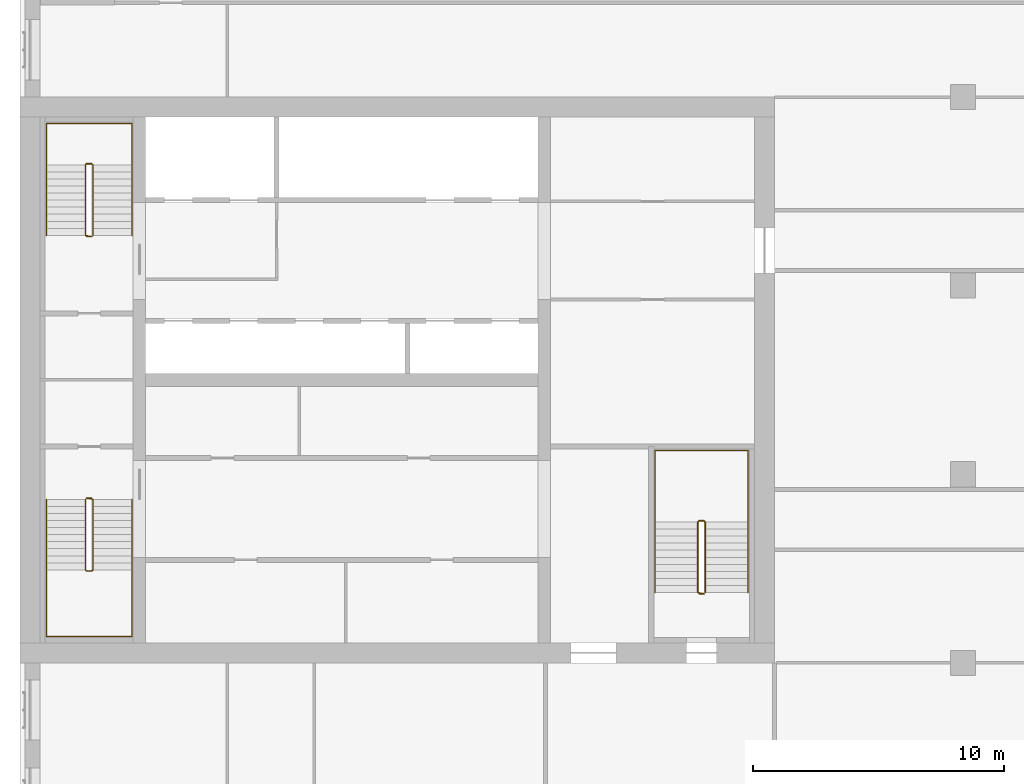
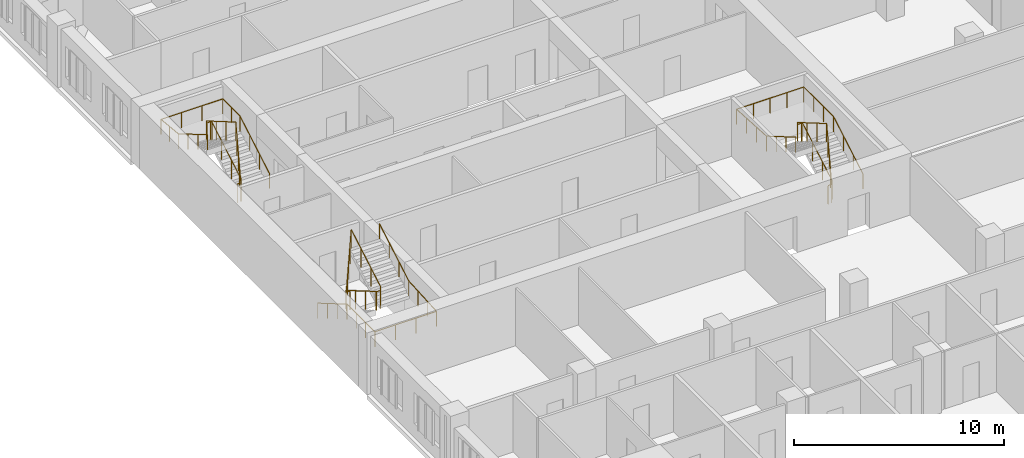
# One storey, part 14 of 14: 6 railings.
"""IFC4 building model written with IfcOpenShell, lengths in metres."""

from ifc_helpers import new_model, si_unit, direction, frame, origin, origin_2d, place, context, subcontext, project, spatial, circle, extrude, material, type_object, element, save


model = new_model("IFC4")

# Units and contexts
model_context = context("Model", 3, precision=1e-05, world=origin(), true_north=direction((0.0, 1.0)))
body_context = subcontext(model_context, "Body", "Model", "MODEL_VIEW")
ifc_project = project(units=[si_unit("LENGTHUNIT", "METRE"), si_unit("AREAUNIT", "SQUARE_METRE"), si_unit("VOLUMEUNIT", "CUBIC_METRE"), si_unit("PLANEANGLEUNIT", "RADIAN"), si_unit("MASSUNIT", "GRAM", prefix="KILO")], contexts=[model_context])

# Site, building, storey
site_placement = place(None, origin())
site = spatial("IfcSite", under=ifc_project, at=site_placement, CompositionType="ELEMENT")
building_placement = place(site_placement, origin())
building = spatial("IfcBuilding", under=site, at=building_placement, Name="Tamorin Gate", CompositionType="ELEMENT")
storey_placement = place(building_placement, frame((0.0, 0.0, 133.800048828125)))
storey = spatial("IfcBuildingStorey", under=building, at=storey_placement, Name="L32", CompositionType="ELEMENT", Elevation=133.800048828125)

# Railings
ifc_material_1 = material(Name="Painted steel balustrade", Category="steel")
railing_type_1 = type_object("IfcRailingType", Name="Stair guard 1100", PredefinedType="GUARDRAIL", material=ifc_material_1)
railing_1_placement = place(storey_placement, frame((32.60009765625, 66.5, 0.16357421875)))
element("IfcRailing", 1, at=railing_1_placement, inside=storey, type_object=railing_type_1, Name="L32 ST1 stair guard 1", PredefinedType="GUARDRAIL", context=body_context, shape_type="SweptSolid", body=[
    extrude(circle(Radius=0.02392578125, at=origin_2d()), frame((0.0, 0.0, 1.076171875), z_axis=(0.0, -0.863360870873, 0.504586966384), x_axis=(1.0, 0.0, 0.0)), (0.0, 0.0, 1.0), 3.2431640625),
    extrude(circle(Radius=0.02392578125, at=origin_2d()), frame((0.0, -2.800048828125, 2.71240234375), z_axis=(0.705375805398, -0.708833529934, 0.0), x_axis=(0.708833529934, 0.705375805398, 0.0)), (0.0, 0.0, 1.0), 0.070556640625),
    extrude(circle(Radius=0.02392578125, at=origin_2d()), frame((0.0498046875, -2.85009765625, 2.71240234375), z_axis=(1.0, 0.0, 0.0), x_axis=(0.0, 1.0, 0.0)), (0.0, 0.0, 1.0), 0.2001953125),
    extrude(circle(Radius=0.02392578125, at=origin_2d()), frame((0.25, -2.85009765625, 2.71240234375), z_axis=(0.279546231943, 0.280916556609, 0.91811752648), x_axis=(-0.708833529934, 0.705375805398, 0.0)), (0.0, 0.0, 1.0), 0.17822265625),
    extrude(circle(Radius=0.02392578125, at=origin_2d()), frame((0.2998046875, -2.800048828125, 2.8759765625), z_axis=(0.0, 0.863393664356, 0.504530851732), x_axis=(-1.0, 0.0, 0.0)), (0.0, 0.0, 1.0), 3.2431640625),
    extrude(circle(Radius=0.02392578125, at=origin_2d()), frame((0.2998046875, 0.0, 4.51220703125), z_axis=(-0.069273741535, 0.013868278335, -0.997501288014), x_axis=(-0.196300278283, -0.98054382908, 0.0)), (0.0, 0.0, 1.0), 3.60888671875),
    extrude(circle(Radius=0.02392578125, at=origin_2d()), frame((0.0498046875, 0.050048828125, 0.91259765625), z_axis=(1.0, 0.0, 0.0), x_axis=(0.0, 1.0, 0.0)), (0.0, 0.0, 1.0), 0.2001953125),
    extrude(circle(Radius=0.02099609375, at=origin_2d()), origin(), (0.0, 0.0, 1.0), 1.052001953125),
    extrude(circle(Radius=0.02099609375, at=origin_2d()), frame((0.0, -0.933349609375, 0.54541015625)), (0.0, 0.0, 1.0), 1.052001953125),
    extrude(circle(Radius=0.02099609375, at=origin_2d()), frame((0.0, -1.86669921875, 1.091064453125)), (0.0, 0.0, 1.0), 1.052001953125),
    extrude(circle(Radius=0.02099609375, at=origin_2d()), frame((0.0, -2.800048828125, 1.636474609375)), (0.0, 0.0, 1.0), 1.052001953125),
    extrude(circle(Radius=0.02099609375, at=origin_2d()), frame((0.0498046875, -2.85009765625, 1.636474609375)), (0.0, 0.0, 1.0), 1.052001953125),
    extrude(circle(Radius=0.02099609375, at=origin_2d()), frame((0.25, -2.85009765625, 1.636474609375)), (0.0, 0.0, 1.0), 1.052001953125),
    extrude(circle(Radius=0.02099609375, at=origin_2d()), frame((0.2998046875, -2.800048828125, 1.800048828125)), (0.0, 0.0, 1.0), 1.052001953125),
    extrude(circle(Radius=0.02099609375, at=origin_2d()), frame((0.2998046875, -1.86669921875, 2.345458984375)), (0.0, 0.0, 1.0), 1.052001953125),
    extrude(circle(Radius=0.02099609375, at=origin_2d()), frame((0.2998046875, -0.933349609375, 2.890869140625)), (0.0, 0.0, 1.0), 1.052001953125),
    extrude(circle(Radius=0.02099609375, at=origin_2d()), frame((0.2998046875, 0.0, 3.436279296875)), (0.0, 0.0, 1.0), 1.052001953125),
    extrude(circle(Radius=0.02099609375, at=origin_2d()), frame((0.2373046875, 0.012451171875, 2.536376953125)), (0.0, 0.0, 1.0), 1.052001953125),
    extrude(circle(Radius=0.02099609375, at=origin_2d()), frame((0.1748046875, 0.02490234375, 1.63623046875)), (0.0, 0.0, 1.0), 1.052001953125),
    extrude(circle(Radius=0.02099609375, at=origin_2d()), frame((0.1123046875, 0.03759765625, 0.736328125)), (0.0, 0.0, 1.0), 1.052001953125),
    extrude(circle(Radius=0.02099609375, at=origin_2d()), frame((0.0498046875, 0.050048828125, -0.16357421875)), (0.0, 0.0, 1.0), 1.052001953125),
    extrude(circle(Radius=0.02099609375, at=origin_2d()), frame((0.25, 0.050048828125, -0.16357421875)), (0.0, 0.0, 1.0), 1.052001953125),
])
railing_2_placement = place(storey_placement, frame((32.89990234375, 77.0, 0.16357421875)))
element("IfcRailing", 2, at=railing_2_placement, inside=storey, type_object=railing_type_1, Name="L32 ST2 stair guard 1", PredefinedType="GUARDRAIL", context=body_context, shape_type="SweptSolid", body=[
    extrude(circle(Radius=0.02392578125, at=origin_2d()), frame((0.0, 0.0, 1.076171875), z_axis=(0.0, 0.863360870873, 0.504586966384), x_axis=(-1.0, 0.0, 0.0)), (0.0, 0.0, 1.0), 3.2431640625),
    extrude(circle(Radius=0.02392578125, at=origin_2d()), frame((0.0, 2.800048828125, 2.71240234375), z_axis=(-0.705375805398, 0.708833529934, 0.0), x_axis=(-0.708833529934, -0.705375805398, 0.0)), (0.0, 0.0, 1.0), 0.070556640625),
    extrude(circle(Radius=0.02392578125, at=origin_2d()), frame((-0.0498046875, 2.85009765625, 2.71240234375), z_axis=(-1.0, 0.0, 0.0), x_axis=(0.0, -1.0, 0.0)), (0.0, 0.0, 1.0), 0.2001953125),
    extrude(circle(Radius=0.02392578125, at=origin_2d()), frame((-0.25, 2.85009765625, 2.71240234375), z_axis=(-0.279546231943, -0.280916556609, 0.91811752648), x_axis=(0.708833529934, -0.705375805398, 0.0)), (0.0, 0.0, 1.0), 0.17822265625),
    extrude(circle(Radius=0.02392578125, at=origin_2d()), frame((-0.2998046875, 2.800048828125, 2.8759765625), z_axis=(0.0, -0.863393664356, 0.504530851732), x_axis=(1.0, 0.0, 0.0)), (0.0, 0.0, 1.0), 3.2431640625),
    extrude(circle(Radius=0.02392578125, at=origin_2d()), frame((-0.2998046875, 0.0, 4.51220703125), z_axis=(0.069273741535, -0.013868278335, -0.997501288014), x_axis=(0.196300278283, 0.98054382908, 0.0)), (0.0, 0.0, 1.0), 3.60888671875),
    extrude(circle(Radius=0.02392578125, at=origin_2d()), frame((-0.0498046875, -0.050048828125, 0.91259765625), z_axis=(-1.0, 0.0, 0.0), x_axis=(0.0, -1.0, 0.0)), (0.0, 0.0, 1.0), 0.2001953125),
    extrude(circle(Radius=0.02099609375, at=origin_2d()), origin(), (0.0, 0.0, 1.0), 1.052001953125),
    extrude(circle(Radius=0.02099609375, at=origin_2d()), frame((0.0, 0.933349609375, 0.54541015625)), (0.0, 0.0, 1.0), 1.052001953125),
    extrude(circle(Radius=0.02099609375, at=origin_2d()), frame((0.0, 1.86669921875, 1.091064453125)), (0.0, 0.0, 1.0), 1.052001953125),
    extrude(circle(Radius=0.02099609375, at=origin_2d()), frame((0.0, 2.800048828125, 1.636474609375)), (0.0, 0.0, 1.0), 1.052001953125),
    extrude(circle(Radius=0.02099609375, at=origin_2d()), frame((-0.0498046875, 2.85009765625, 1.636474609375)), (0.0, 0.0, 1.0), 1.052001953125),
    extrude(circle(Radius=0.02099609375, at=origin_2d()), frame((-0.25, 2.85009765625, 1.636474609375)), (0.0, 0.0, 1.0), 1.052001953125),
    extrude(circle(Radius=0.02099609375, at=origin_2d()), frame((-0.2998046875, 2.800048828125, 1.800048828125)), (0.0, 0.0, 1.0), 1.052001953125),
    extrude(circle(Radius=0.02099609375, at=origin_2d()), frame((-0.2998046875, 1.86669921875, 2.345458984375)), (0.0, 0.0, 1.0), 1.052001953125),
    extrude(circle(Radius=0.02099609375, at=origin_2d()), frame((-0.2998046875, 0.933349609375, 2.890869140625)), (0.0, 0.0, 1.0), 1.052001953125),
    extrude(circle(Radius=0.02099609375, at=origin_2d()), frame((-0.2998046875, 0.0, 3.436279296875)), (0.0, 0.0, 1.0), 1.052001953125),
    extrude(circle(Radius=0.02099609375, at=origin_2d()), frame((-0.2373046875, -0.012451171875, 2.536376953125)), (0.0, 0.0, 1.0), 1.052001953125),
    extrude(circle(Radius=0.02099609375, at=origin_2d()), frame((-0.1748046875, -0.02490234375, 1.63623046875)), (0.0, 0.0, 1.0), 1.052001953125),
    extrude(circle(Radius=0.02099609375, at=origin_2d()), frame((-0.1123046875, -0.03759765625, 0.736328125)), (0.0, 0.0, 1.0), 1.052001953125),
    extrude(circle(Radius=0.02099609375, at=origin_2d()), frame((-0.0498046875, -0.050048828125, -0.16357421875)), (0.0, 0.0, 1.0), 1.052001953125),
    extrude(circle(Radius=0.02099609375, at=origin_2d()), frame((-0.25, -0.050048828125, -0.16357421875)), (0.0, 0.0, 1.0), 1.052001953125),
])
railing_3_placement = place(storey_placement, frame((57.25, 62.800048828125, 0.16357421875)))
element("IfcRailing", 3, at=railing_3_placement, inside=storey, type_object=railing_type_1, Name="L32 ST3 stair guard 1", PredefinedType="GUARDRAIL", context=body_context, shape_type="SweptSolid", body=[
    extrude(circle(Radius=0.02392578125, at=origin_2d()), frame((0.0, 0.0, 1.076171875), z_axis=(0.0, 0.863360870873, 0.504586966384), x_axis=(-1.0, 0.0, 0.0)), (0.0, 0.0, 1.0), 3.2431640625),
    extrude(circle(Radius=0.02392578125, at=origin_2d()), frame((0.0, 2.800048828125, 2.71240234375), z_axis=(-0.708833529934, 0.705375805398, 0.0), x_axis=(-0.705375805398, -0.708833529934, 0.0)), (0.0, 0.0, 1.0), 0.070556640625),
    extrude(circle(Radius=0.02392578125, at=origin_2d()), frame((-0.050048828125, 2.849853515625, 2.71240234375), z_axis=(-1.0, 0.0, 0.0), x_axis=(0.0, -1.0, 0.0)), (0.0, 0.0, 1.0), 0.199951171875),
    extrude(circle(Radius=0.02392578125, at=origin_2d()), frame((-0.25, 2.849853515625, 2.71240234375), z_axis=(-0.280916556609, -0.279546231943, 0.91811752648), x_axis=(0.705375805398, -0.708833529934, 0.0)), (0.0, 0.0, 1.0), 0.17822265625),
    extrude(circle(Radius=0.02392578125, at=origin_2d()), frame((-0.300048828125, 2.800048828125, 2.8759765625), z_axis=(0.0, -0.863393664356, 0.504530851732), x_axis=(1.0, 0.0, 0.0)), (0.0, 0.0, 1.0), 3.2431640625),
    extrude(circle(Radius=0.02392578125, at=origin_2d()), frame((-0.300048828125, 0.0, 4.51220703125), z_axis=(0.069273741535, -0.013868278335, -0.997501288014), x_axis=(0.196300278283, 0.98054382908, 0.0)), (0.0, 0.0, 1.0), 3.60888671875),
    extrude(circle(Radius=0.02392578125, at=origin_2d()), frame((-0.050048828125, -0.050048828125, 0.91259765625), z_axis=(-1.0, 0.0, 0.0), x_axis=(0.0, -1.0, 0.0)), (0.0, 0.0, 1.0), 0.199951171875),
    extrude(circle(Radius=0.02099609375, at=origin_2d()), origin(), (0.0, 0.0, 1.0), 1.052001953125),
    extrude(circle(Radius=0.02099609375, at=origin_2d()), frame((0.0, 0.933349609375, 0.54541015625)), (0.0, 0.0, 1.0), 1.052001953125),
    extrude(circle(Radius=0.02099609375, at=origin_2d()), frame((0.0, 1.86669921875, 1.091064453125)), (0.0, 0.0, 1.0), 1.052001953125),
    extrude(circle(Radius=0.02099609375, at=origin_2d()), frame((0.0, 2.800048828125, 1.636474609375)), (0.0, 0.0, 1.0), 1.052001953125),
    extrude(circle(Radius=0.02099609375, at=origin_2d()), frame((-0.050048828125, 2.849853515625, 1.636474609375)), (0.0, 0.0, 1.0), 1.052001953125),
    extrude(circle(Radius=0.02099609375, at=origin_2d()), frame((-0.25, 2.849853515625, 1.636474609375)), (0.0, 0.0, 1.0), 1.052001953125),
    extrude(circle(Radius=0.02099609375, at=origin_2d()), frame((-0.300048828125, 2.800048828125, 1.800048828125)), (0.0, 0.0, 1.0), 1.052001953125),
    extrude(circle(Radius=0.02099609375, at=origin_2d()), frame((-0.300048828125, 1.86669921875, 2.345458984375)), (0.0, 0.0, 1.0), 1.052001953125),
    extrude(circle(Radius=0.02099609375, at=origin_2d()), frame((-0.300048828125, 0.933349609375, 2.890869140625)), (0.0, 0.0, 1.0), 1.052001953125),
    extrude(circle(Radius=0.02099609375, at=origin_2d()), frame((-0.300048828125, 0.0, 3.436279296875)), (0.0, 0.0, 1.0), 1.052001953125),
    extrude(circle(Radius=0.02099609375, at=origin_2d()), frame((-0.237548828125, -0.012451171875, 2.536376953125)), (0.0, 0.0, 1.0), 1.052001953125),
    extrude(circle(Radius=0.02099609375, at=origin_2d()), frame((-0.175048828125, -0.02490234375, 1.63623046875)), (0.0, 0.0, 1.0), 1.052001953125),
    extrude(circle(Radius=0.02099609375, at=origin_2d()), frame((-0.112548828125, -0.03759765625, 0.736328125)), (0.0, 0.0, 1.0), 1.052001953125),
    extrude(circle(Radius=0.02099609375, at=origin_2d()), frame((-0.050048828125, -0.050048828125, -0.16357421875)), (0.0, 0.0, 1.0), 1.052001953125),
    extrude(circle(Radius=0.02099609375, at=origin_2d()), frame((-0.25, -0.050048828125, -0.16357421875)), (0.0, 0.0, 1.0), 1.052001953125),
])
ifc_material_2 = material(Name="Painted steel handrail", Category="steel")
railing_type_2 = type_object("IfcRailingType", Name="Stair handrail 900", PredefinedType="HANDRAIL", material=ifc_material_2)
railing_4_placement = place(storey_placement, frame((31.050048828125, 66.5, 0.16357421875)))
element("IfcRailing", 4, at=railing_4_placement, inside=storey, type_object=railing_type_2, Name="L32 ST1 stair handrail 1", PredefinedType="HANDRAIL", context=body_context, shape_type="SweptSolid", body=[
    extrude(circle(Radius=0.02392578125, at=origin_2d()), frame((0.0, 0.0, 0.8759765625), z_axis=(0.0, -0.863360870873, 0.504586966384), x_axis=(1.0, 0.0, 0.0)), (0.0, 0.0, 1.0), 3.2431640625),
    extrude(circle(Radius=0.02392578125, at=origin_2d()), frame((0.0, -2.800048828125, 2.51220703125), z_axis=(0.0, -1.0, 0.0), x_axis=(1.0, 0.0, 0.0)), (0.0, 0.0, 1.0), 2.64990234375),
    extrude(circle(Radius=0.02392578125, at=origin_2d()), frame((0.0, -5.449951171875, 2.51220703125), z_axis=(1.0, 0.0, 0.0), x_axis=(0.0, 1.0, 0.0)), (0.0, 0.0, 1.0), 3.39990234375),
    extrude(circle(Radius=0.02392578125, at=origin_2d()), frame((3.39990234375, -5.449951171875, 2.51220703125), z_axis=(0.0, 0.998100230056, 0.061611125312), x_axis=(-1.0, 0.0, 0.0)), (0.0, 0.0, 1.0), 2.655029296875),
    extrude(circle(Radius=0.02392578125, at=origin_2d()), frame((3.39990234375, -2.800048828125, 2.67578125), z_axis=(0.0, 0.863393664356, 0.504530851732), x_axis=(-1.0, 0.0, 0.0)), (0.0, 0.0, 1.0), 3.2431640625),
    extrude(circle(Radius=0.02099609375, at=origin_2d()), origin(), (0.0, 0.0, 1.0), 0.851806640625),
    extrude(circle(Radius=0.02099609375, at=origin_2d()), frame((0.0, -0.933349609375, 0.54541015625)), (0.0, 0.0, 1.0), 0.851806640625),
    extrude(circle(Radius=0.02099609375, at=origin_2d()), frame((0.0, -1.86669921875, 1.091064453125)), (0.0, 0.0, 1.0), 0.851806640625),
    extrude(circle(Radius=0.02099609375, at=origin_2d()), frame((0.0, -2.800048828125, 1.636474609375)), (0.0, 0.0, 1.0), 0.851806640625),
    extrude(circle(Radius=0.02099609375, at=origin_2d()), frame((0.0, -3.683349609375, 1.636474609375)), (0.0, 0.0, 1.0), 0.851806640625),
    extrude(circle(Radius=0.02099609375, at=origin_2d()), frame((0.0, -4.566650390625, 1.636474609375)), (0.0, 0.0, 1.0), 0.851806640625),
    extrude(circle(Radius=0.02099609375, at=origin_2d()), frame((0.0, -5.449951171875, 1.636474609375)), (0.0, 0.0, 1.0), 0.851806640625),
    extrude(circle(Radius=0.02099609375, at=origin_2d()), frame((1.13330078125, -5.449951171875, 1.636474609375)), (0.0, 0.0, 1.0), 0.851806640625),
    extrude(circle(Radius=0.02099609375, at=origin_2d()), frame((2.2666015625, -5.449951171875, 1.636474609375)), (0.0, 0.0, 1.0), 0.851806640625),
    extrude(circle(Radius=0.02099609375, at=origin_2d()), frame((3.39990234375, -5.449951171875, 1.636474609375)), (0.0, 0.0, 1.0), 0.851806640625),
    extrude(circle(Radius=0.02099609375, at=origin_2d()), frame((3.39990234375, -4.566650390625, 1.69091796875)), (0.0, 0.0, 1.0), 0.851806640625),
    extrude(circle(Radius=0.02099609375, at=origin_2d()), frame((3.39990234375, -3.683349609375, 1.74560546875)), (0.0, 0.0, 1.0), 0.851806640625),
    extrude(circle(Radius=0.02099609375, at=origin_2d()), frame((3.39990234375, -2.800048828125, 1.800048828125)), (0.0, 0.0, 1.0), 0.851806640625),
    extrude(circle(Radius=0.02099609375, at=origin_2d()), frame((3.39990234375, -1.86669921875, 2.345458984375)), (0.0, 0.0, 1.0), 0.851806640625),
    extrude(circle(Radius=0.02099609375, at=origin_2d()), frame((3.39990234375, -0.933349609375, 2.890869140625)), (0.0, 0.0, 1.0), 0.851806640625),
    extrude(circle(Radius=0.02099609375, at=origin_2d()), frame((3.39990234375, 0.0, 3.436279296875)), (0.0, 0.0, 1.0), 0.851806640625),
])
railing_5_placement = place(storey_placement, frame((34.449951171875, 77.0, 0.16357421875)))
element("IfcRailing", 5, at=railing_5_placement, inside=storey, type_object=railing_type_2, Name="L32 ST2 stair handrail 1", PredefinedType="HANDRAIL", context=body_context, shape_type="SweptSolid", body=[
    extrude(circle(Radius=0.02392578125, at=origin_2d()), frame((0.0, 0.0, 0.8759765625), z_axis=(0.0, 0.863360870873, 0.504586966384), x_axis=(-1.0, 0.0, 0.0)), (0.0, 0.0, 1.0), 3.2431640625),
    extrude(circle(Radius=0.02392578125, at=origin_2d()), frame((0.0, 2.800048828125, 2.51220703125), z_axis=(0.0, 1.0, 0.0), x_axis=(-1.0, 0.0, 0.0)), (0.0, 0.0, 1.0), 1.64990234375),
    extrude(circle(Radius=0.02392578125, at=origin_2d()), frame((0.0, 4.449951171875, 2.51220703125), z_axis=(-1.0, 0.0, 0.0), x_axis=(0.0, -1.0, 0.0)), (0.0, 0.0, 1.0), 3.39990234375),
    extrude(circle(Radius=0.02392578125, at=origin_2d()), frame((-3.39990234375, 4.449951171875, 2.51220703125), z_axis=(0.0, -0.995121390814, 0.098658084026), x_axis=(1.0, 0.0, 0.0)), (0.0, 0.0, 1.0), 1.657958984375),
    extrude(circle(Radius=0.02392578125, at=origin_2d()), frame((-3.39990234375, 2.800048828125, 2.67578125), z_axis=(0.0, -0.863393664356, 0.504530851732), x_axis=(1.0, 0.0, 0.0)), (0.0, 0.0, 1.0), 3.2431640625),
    extrude(circle(Radius=0.02099609375, at=origin_2d()), origin(), (0.0, 0.0, 1.0), 0.851806640625),
    extrude(circle(Radius=0.02099609375, at=origin_2d()), frame((0.0, 0.933349609375, 0.54541015625)), (0.0, 0.0, 1.0), 0.851806640625),
    extrude(circle(Radius=0.02099609375, at=origin_2d()), frame((0.0, 1.86669921875, 1.091064453125)), (0.0, 0.0, 1.0), 0.851806640625),
    extrude(circle(Radius=0.02099609375, at=origin_2d()), frame((0.0, 2.800048828125, 1.636474609375)), (0.0, 0.0, 1.0), 0.851806640625),
    extrude(circle(Radius=0.02099609375, at=origin_2d()), frame((0.0, 3.625, 1.636474609375)), (0.0, 0.0, 1.0), 0.851806640625),
    extrude(circle(Radius=0.02099609375, at=origin_2d()), frame((0.0, 4.449951171875, 1.636474609375)), (0.0, 0.0, 1.0), 0.851806640625),
    extrude(circle(Radius=0.02099609375, at=origin_2d()), frame((-1.13330078125, 4.449951171875, 1.636474609375)), (0.0, 0.0, 1.0), 0.851806640625),
    extrude(circle(Radius=0.02099609375, at=origin_2d()), frame((-2.2666015625, 4.449951171875, 1.636474609375)), (0.0, 0.0, 1.0), 0.851806640625),
    extrude(circle(Radius=0.02099609375, at=origin_2d()), frame((-3.39990234375, 4.449951171875, 1.636474609375)), (0.0, 0.0, 1.0), 0.851806640625),
    extrude(circle(Radius=0.02099609375, at=origin_2d()), frame((-3.39990234375, 3.625, 1.71826171875)), (0.0, 0.0, 1.0), 0.851806640625),
    extrude(circle(Radius=0.02099609375, at=origin_2d()), frame((-3.39990234375, 2.800048828125, 1.800048828125)), (0.0, 0.0, 1.0), 0.851806640625),
    extrude(circle(Radius=0.02099609375, at=origin_2d()), frame((-3.39990234375, 1.86669921875, 2.345458984375)), (0.0, 0.0, 1.0), 0.851806640625),
    extrude(circle(Radius=0.02099609375, at=origin_2d()), frame((-3.39990234375, 0.933349609375, 2.890869140625)), (0.0, 0.0, 1.0), 0.851806640625),
    extrude(circle(Radius=0.02099609375, at=origin_2d()), frame((-3.39990234375, 0.0, 3.436279296875)), (0.0, 0.0, 1.0), 0.851806640625),
])
railing_6_placement = place(storey_placement, frame((58.949951171875, 62.800048828125, 0.16357421875)))
element("IfcRailing", 6, at=railing_6_placement, inside=storey, type_object=railing_type_2, Name="L32 ST3 stair handrail 1", PredefinedType="HANDRAIL", context=body_context, shape_type="SweptSolid", body=[
    extrude(circle(Radius=0.02392578125, at=origin_2d()), frame((0.0, 0.0, 0.8759765625), z_axis=(0.0, 0.863360870873, 0.504586966384), x_axis=(-1.0, 0.0, 0.0)), (0.0, 0.0, 1.0), 3.2431640625),
    extrude(circle(Radius=0.02392578125, at=origin_2d()), frame((0.0, 2.800048828125, 2.51220703125), z_axis=(0.0, 1.0, 0.0), x_axis=(-1.0, 0.0, 0.0)), (0.0, 0.0, 1.0), 2.849853515625),
    extrude(circle(Radius=0.02392578125, at=origin_2d()), frame((0.0, 5.64990234375, 2.51220703125), z_axis=(-1.0, 0.0, 0.0), x_axis=(0.0, -1.0, 0.0)), (0.0, 0.0, 1.0), 3.699951171875),
    extrude(circle(Radius=0.02392578125, at=origin_2d()), frame((-3.699951171875, 5.64990234375, 2.51220703125), z_axis=(0.0, -0.998356827416, 0.057303098978), x_axis=(1.0, 0.0, 0.0)), (0.0, 0.0, 1.0), 2.8544921875),
    extrude(circle(Radius=0.02392578125, at=origin_2d()), frame((-3.699951171875, 2.800048828125, 2.67578125), z_axis=(0.0, -0.863393664356, 0.504530851732), x_axis=(1.0, 0.0, 0.0)), (0.0, 0.0, 1.0), 3.2431640625),
    extrude(circle(Radius=0.02099609375, at=origin_2d()), origin(), (0.0, 0.0, 1.0), 0.851806640625),
    extrude(circle(Radius=0.02099609375, at=origin_2d()), frame((0.0, 0.933349609375, 0.54541015625)), (0.0, 0.0, 1.0), 0.851806640625),
    extrude(circle(Radius=0.02099609375, at=origin_2d()), frame((0.0, 1.86669921875, 1.091064453125)), (0.0, 0.0, 1.0), 0.851806640625),
    extrude(circle(Radius=0.02099609375, at=origin_2d()), frame((0.0, 2.800048828125, 1.636474609375)), (0.0, 0.0, 1.0), 0.851806640625),
    extrude(circle(Radius=0.02099609375, at=origin_2d()), frame((0.0, 3.75, 1.636474609375)), (0.0, 0.0, 1.0), 0.851806640625),
    extrude(circle(Radius=0.02099609375, at=origin_2d()), frame((0.0, 4.699951171875, 1.636474609375)), (0.0, 0.0, 1.0), 0.851806640625),
    extrude(circle(Radius=0.02099609375, at=origin_2d()), frame((0.0, 5.64990234375, 1.636474609375)), (0.0, 0.0, 1.0), 0.851806640625),
    extrude(circle(Radius=0.02099609375, at=origin_2d()), frame((-0.925048828125, 5.64990234375, 1.636474609375)), (0.0, 0.0, 1.0), 0.851806640625),
    extrude(circle(Radius=0.02099609375, at=origin_2d()), frame((-1.85009765625, 5.64990234375, 1.636474609375)), (0.0, 0.0, 1.0), 0.851806640625),
    extrude(circle(Radius=0.02099609375, at=origin_2d()), frame((-2.77490234375, 5.64990234375, 1.636474609375)), (0.0, 0.0, 1.0), 0.851806640625),
    extrude(circle(Radius=0.02099609375, at=origin_2d()), frame((-3.699951171875, 5.64990234375, 1.636474609375)), (0.0, 0.0, 1.0), 0.851806640625),
    extrude(circle(Radius=0.02099609375, at=origin_2d()), frame((-3.699951171875, 4.699951171875, 1.69091796875)), (0.0, 0.0, 1.0), 0.851806640625),
    extrude(circle(Radius=0.02099609375, at=origin_2d()), frame((-3.699951171875, 3.75, 1.74560546875)), (0.0, 0.0, 1.0), 0.851806640625),
    extrude(circle(Radius=0.02099609375, at=origin_2d()), frame((-3.699951171875, 2.800048828125, 1.800048828125)), (0.0, 0.0, 1.0), 0.851806640625),
    extrude(circle(Radius=0.02099609375, at=origin_2d()), frame((-3.699951171875, 1.86669921875, 2.345458984375)), (0.0, 0.0, 1.0), 0.851806640625),
    extrude(circle(Radius=0.02099609375, at=origin_2d()), frame((-3.699951171875, 0.933349609375, 2.890869140625)), (0.0, 0.0, 1.0), 0.851806640625),
    extrude(circle(Radius=0.02099609375, at=origin_2d()), frame((-3.699951171875, 0.0, 3.436279296875)), (0.0, 0.0, 1.0), 0.851806640625),
])

save(model, "model.ifc")
